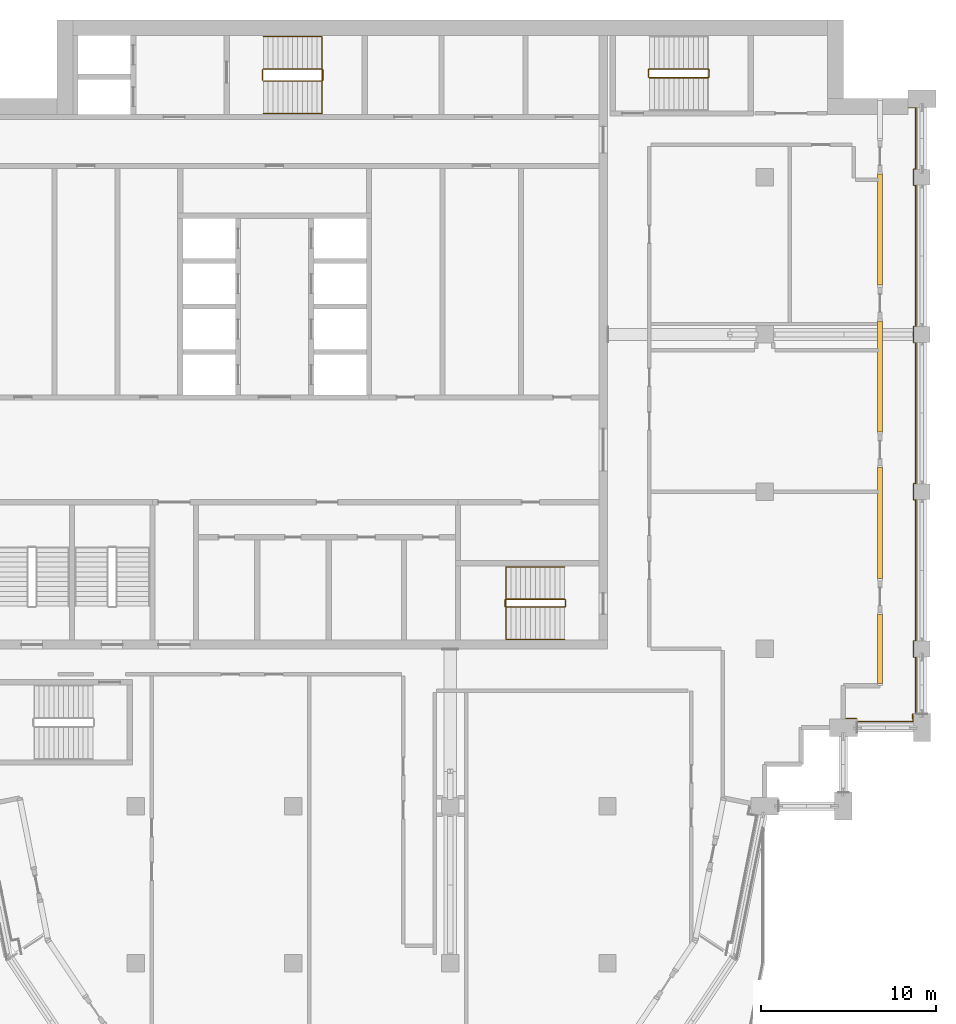
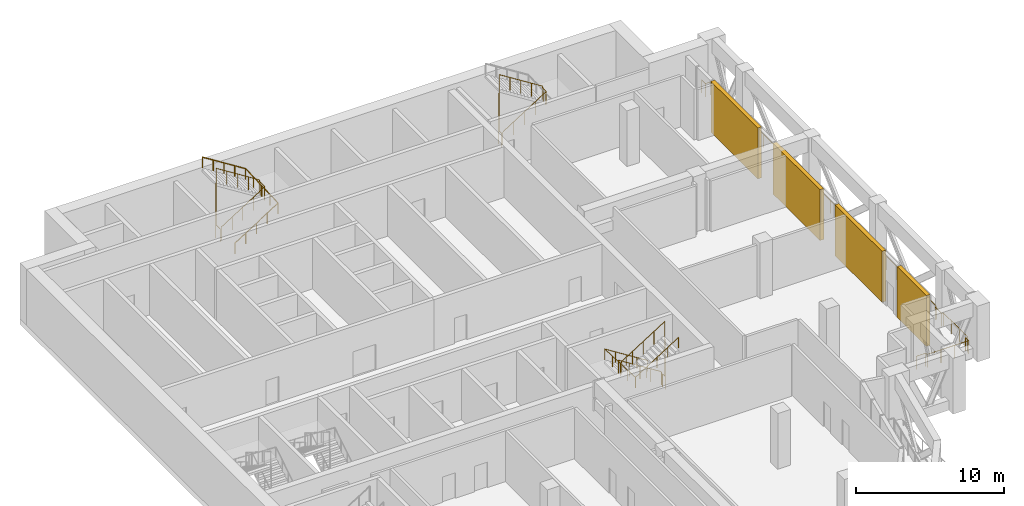
# One storey, part 17 of 18: 6 railings, 4 shading devices.
"""IFC4 building model written with IfcOpenShell, lengths in metres."""

from ifc_helpers import new_model, si_unit, direction, frame, origin, origin_2d, place, context, subcontext, project, spatial, rectangle, circle, extrude, material, layer, layer_set, type_object, element, save


model = new_model("IFC4")

# Units and contexts
model_context = context("Model", 3, precision=1e-05, world=origin(), true_north=direction((0.0, 1.0)))
body_context = subcontext(model_context, "Body", "Model", "MODEL_VIEW")
ifc_project = project(units=[si_unit("LENGTHUNIT", "METRE"), si_unit("AREAUNIT", "SQUARE_METRE"), si_unit("VOLUMEUNIT", "CUBIC_METRE"), si_unit("PLANEANGLEUNIT", "RADIAN"), si_unit("MASSUNIT", "GRAM", prefix="KILO")], contexts=[model_context])

# Site, building, storey
site_placement = place(None, origin())
site = spatial("IfcSite", under=ifc_project, at=site_placement, CompositionType="ELEMENT")
building_placement = place(site_placement, origin())
building = spatial("IfcBuilding", under=site, at=building_placement, Name="Hunhe Ridgeline Campus", CompositionType="ELEMENT")
storey_placement = place(building_placement, frame((0.0, 0.0, 276.199951171875)))
storey = spatial("IfcBuildingStorey", under=building, at=storey_placement, Name="L71", CompositionType="ELEMENT", Elevation=276.199951171875)

# Railing
ifc_material_1 = material(Name="Steel Q355", Category="steel")
railing_type_1 = type_object("IfcRailingType", Name="Loggia guard 1100 Steel Q355", PredefinedType="GUARDRAIL", material=ifc_material_1)
railing_1_placement = place(storey_placement, frame((49.5, 59.02001953125, 0.0)))
element("IfcRailing", 1, at=railing_1_placement, inside=storey, type_object=railing_type_1, Name="Loggia guard 3", PredefinedType="GUARDRAIL", context=body_context, shape_type="SweptSolid", body=[
    extrude(circle(Radius=0.02392578125, at=origin_2d()), frame((0.0, 0.0, 1.076171875), z_axis=(1.0, 0.0, 0.0), x_axis=(0.0, 1.0, 0.0)), (0.0, 0.0, 1.0), 0.75),
    extrude(circle(Radius=0.02392578125, at=origin_2d()), frame((0.75, 0.0, 1.076171875), z_axis=(0.0, -1.0, 0.0), x_axis=(1.0, 0.0, 0.0)), (0.0, 0.0, 1.0), 0.169921875),
    extrude(circle(Radius=0.02392578125, at=origin_2d()), frame((0.75, -0.169921875, 1.076171875), z_axis=(1.0, 0.0, 0.0), x_axis=(0.0, 1.0, 0.0)), (0.0, 0.0, 1.0), 3.25),
    extrude(circle(Radius=0.02392578125, at=origin_2d()), frame((4.0, -0.169921875, 1.076171875), z_axis=(0.0, 1.0, 0.0), x_axis=(-1.0, 0.0, 0.0)), (0.0, 0.0, 1.0), 0.419921875),
    extrude(circle(Radius=0.02392578125, at=origin_2d()), frame((4.0, 0.25, 1.076171875), z_axis=(-0.079822602517, -0.996809085095, 0.0), x_axis=(0.996809085095, -0.079822602517, 0.0)), (0.0, 0.0, 1.0), 0.250732421875),
    extrude(circle(Radius=0.02392578125, at=origin_2d()), frame((3.97998046875, 0.0, 1.076171875), z_axis=(0.0, 1.0, 0.0), x_axis=(-1.0, 0.0, 0.0)), (0.0, 0.0, 1.0), 0.22998046875),
    extrude(circle(Radius=0.02392578125, at=origin_2d()), frame((3.97998046875, 0.22998046875, 1.076171875), z_axis=(1.0, 0.0, 0.0), x_axis=(0.0, 1.0, 0.0)), (0.0, 0.0, 1.0), 0.169921875),
    extrude(circle(Radius=0.02392578125, at=origin_2d()), frame((4.14990234375, 0.22998046875, 1.076171875), z_axis=(0.0, 1.0, 0.0), x_axis=(-1.0, 0.0, 0.0)), (0.0, 0.0, 1.0), 3.300048828125),
    extrude(circle(Radius=0.02392578125, at=origin_2d()), frame((4.14990234375, 3.530029296875, 1.076171875), z_axis=(-1.0, 0.0, 0.0), x_axis=(0.0, -1.0, 0.0)), (0.0, 0.0, 1.0), 0.119873046875),
    extrude(circle(Radius=0.02392578125, at=origin_2d()), frame((4.030029296875, 3.530029296875, 1.076171875), z_axis=(0.0, 1.0, 0.0), x_axis=(-1.0, 0.0, 0.0)), (0.0, 0.0, 1.0), 0.89990234375),
    extrude(circle(Radius=0.02392578125, at=origin_2d()), frame((4.030029296875, 4.429931640625, 1.076171875), z_axis=(1.0, 0.0, 0.0), x_axis=(0.0, 1.0, 0.0)), (0.0, 0.0, 1.0), 0.119873046875),
    extrude(circle(Radius=0.02392578125, at=origin_2d()), frame((4.14990234375, 4.429931640625, 1.076171875), z_axis=(0.0, 1.0, 0.0), x_axis=(-1.0, 0.0, 0.0)), (0.0, 0.0, 1.0), 8.10009765625),
    extrude(circle(Radius=0.02392578125, at=origin_2d()), frame((4.14990234375, 12.530029296875, 1.076171875), z_axis=(-1.0, 0.0, 0.0), x_axis=(0.0, -1.0, 0.0)), (0.0, 0.0, 1.0), 0.119873046875),
    extrude(circle(Radius=0.02392578125, at=origin_2d()), frame((4.030029296875, 12.530029296875, 1.076171875), z_axis=(0.0, 1.0, 0.0), x_axis=(-1.0, 0.0, 0.0)), (0.0, 0.0, 1.0), 0.89990234375),
    extrude(circle(Radius=0.02392578125, at=origin_2d()), frame((4.030029296875, 13.429931640625, 1.076171875), z_axis=(1.0, 0.0, 0.0), x_axis=(0.0, 1.0, 0.0)), (0.0, 0.0, 1.0), 0.119873046875),
    extrude(circle(Radius=0.02392578125, at=origin_2d()), frame((4.14990234375, 13.429931640625, 1.076171875), z_axis=(0.0, 1.0, 0.0), x_axis=(-1.0, 0.0, 0.0)), (0.0, 0.0, 1.0), 8.10009765625),
    extrude(circle(Radius=0.02392578125, at=origin_2d()), frame((4.14990234375, 21.530029296875, 1.076171875), z_axis=(-1.0, 0.0, 0.0), x_axis=(0.0, -1.0, 0.0)), (0.0, 0.0, 1.0), 0.119873046875),
    extrude(circle(Radius=0.02392578125, at=origin_2d()), frame((4.030029296875, 21.530029296875, 1.076171875), z_axis=(0.0, 1.0, 0.0), x_axis=(-1.0, 0.0, 0.0)), (0.0, 0.0, 1.0), 0.89990234375),
    extrude(circle(Radius=0.02392578125, at=origin_2d()), frame((4.030029296875, 22.429931640625, 1.076171875), z_axis=(1.0, 0.0, 0.0), x_axis=(0.0, 1.0, 0.0)), (0.0, 0.0, 1.0), 0.119873046875),
    extrude(circle(Radius=0.02392578125, at=origin_2d()), frame((4.14990234375, 22.429931640625, 1.076171875), z_axis=(0.0, 1.0, 0.0), x_axis=(-1.0, 0.0, 0.0)), (0.0, 0.0, 1.0), 8.10009765625),
    extrude(circle(Radius=0.02392578125, at=origin_2d()), frame((4.14990234375, 30.530029296875, 1.076171875), z_axis=(-1.0, 0.0, 0.0), x_axis=(0.0, -1.0, 0.0)), (0.0, 0.0, 1.0), 0.119873046875),
    extrude(circle(Radius=0.02392578125, at=origin_2d()), frame((4.030029296875, 30.530029296875, 1.076171875), z_axis=(0.0, 1.0, 0.0), x_axis=(-1.0, 0.0, 0.0)), (0.0, 0.0, 1.0), 0.89990234375),
    extrude(circle(Radius=0.02392578125, at=origin_2d()), frame((4.030029296875, 31.429931640625, 1.076171875), z_axis=(1.0, 0.0, 0.0), x_axis=(0.0, 1.0, 0.0)), (0.0, 0.0, 1.0), 0.119873046875),
    extrude(circle(Radius=0.02392578125, at=origin_2d()), frame((4.14990234375, 31.429931640625, 1.076171875), z_axis=(0.0, 1.0, 0.0), x_axis=(-1.0, 0.0, 0.0)), (0.0, 0.0, 1.0), 3.550048828125),
    extrude(circle(Radius=0.02392578125, at=origin_2d()), frame((4.14990234375, 34.97998046875, 1.076171875), z_axis=(-1.0, 0.0, 0.0), x_axis=(0.0, -1.0, 0.0)), (0.0, 0.0, 1.0), 0.419921875),
    extrude(circle(Radius=0.02392578125, at=origin_2d()), frame((3.72998046875, 34.97998046875, 1.076171875), z_axis=(0.0, 1.0, 0.0), x_axis=(-1.0, 0.0, 0.0)), (0.0, 0.0, 1.0), 0.5),
    extrude(circle(Radius=0.02099609375, at=origin_2d()), origin(), (0.0, 0.0, 1.0), 1.052001953125),
    extrude(circle(Radius=0.02099609375, at=origin_2d()), frame((0.75, 0.0, 0.0)), (0.0, 0.0, 1.0), 1.052001953125),
    extrude(circle(Radius=0.02099609375, at=origin_2d()), frame((0.75, -0.169921875, 0.0)), (0.0, 0.0, 1.0), 1.052001953125),
    extrude(circle(Radius=0.02099609375, at=origin_2d()), frame((1.833251953125, -0.169921875, 0.0)), (0.0, 0.0, 1.0), 1.052001953125),
    extrude(circle(Radius=0.02099609375, at=origin_2d()), frame((2.916748046875, -0.169921875, 0.0)), (0.0, 0.0, 1.0), 1.052001953125),
    extrude(circle(Radius=0.02099609375, at=origin_2d()), frame((4.0, -0.169921875, 0.0)), (0.0, 0.0, 1.0), 1.052001953125),
    extrude(circle(Radius=0.02099609375, at=origin_2d()), frame((4.0, 0.25, 0.0)), (0.0, 0.0, 1.0), 1.052001953125),
    extrude(circle(Radius=0.02099609375, at=origin_2d()), frame((3.97998046875, 0.0, 0.0)), (0.0, 0.0, 1.0), 1.052001953125),
    extrude(circle(Radius=0.02099609375, at=origin_2d()), frame((3.97998046875, 0.22998046875, 0.0)), (0.0, 0.0, 1.0), 1.052001953125),
    extrude(circle(Radius=0.02099609375, at=origin_2d()), frame((4.14990234375, 0.22998046875, 0.0)), (0.0, 0.0, 1.0), 1.052001953125),
    extrude(circle(Radius=0.02099609375, at=origin_2d()), frame((4.14990234375, 1.330078125, 0.0)), (0.0, 0.0, 1.0), 1.052001953125),
    extrude(circle(Radius=0.02099609375, at=origin_2d()), frame((4.14990234375, 2.429931640625, 0.0)), (0.0, 0.0, 1.0), 1.052001953125),
    extrude(circle(Radius=0.02099609375, at=origin_2d()), frame((4.14990234375, 3.530029296875, 0.0)), (0.0, 0.0, 1.0), 1.052001953125),
    extrude(circle(Radius=0.02099609375, at=origin_2d()), frame((4.030029296875, 3.530029296875, 0.0)), (0.0, 0.0, 1.0), 1.052001953125),
    extrude(circle(Radius=0.02099609375, at=origin_2d()), frame((4.030029296875, 4.429931640625, 0.0)), (0.0, 0.0, 1.0), 1.052001953125),
    extrude(circle(Radius=0.02099609375, at=origin_2d()), frame((4.14990234375, 4.429931640625, 0.0)), (0.0, 0.0, 1.0), 1.052001953125),
    extrude(circle(Radius=0.02099609375, at=origin_2d()), frame((4.14990234375, 5.780029296875, 0.0)), (0.0, 0.0, 1.0), 1.052001953125),
    extrude(circle(Radius=0.02099609375, at=origin_2d()), frame((4.14990234375, 7.1298828125, 0.0)), (0.0, 0.0, 1.0), 1.052001953125),
    extrude(circle(Radius=0.02099609375, at=origin_2d()), frame((4.14990234375, 8.47998046875, 0.0)), (0.0, 0.0, 1.0), 1.052001953125),
    extrude(circle(Radius=0.02099609375, at=origin_2d()), frame((4.14990234375, 9.830078125, 0.0)), (0.0, 0.0, 1.0), 1.052001953125),
    extrude(circle(Radius=0.02099609375, at=origin_2d()), frame((4.14990234375, 11.179931640625, 0.0)), (0.0, 0.0, 1.0), 1.052001953125),
    extrude(circle(Radius=0.02099609375, at=origin_2d()), frame((4.14990234375, 12.530029296875, 0.0)), (0.0, 0.0, 1.0), 1.052001953125),
    extrude(circle(Radius=0.02099609375, at=origin_2d()), frame((4.030029296875, 12.530029296875, 0.0)), (0.0, 0.0, 1.0), 1.052001953125),
    extrude(circle(Radius=0.02099609375, at=origin_2d()), frame((4.030029296875, 13.429931640625, 0.0)), (0.0, 0.0, 1.0), 1.052001953125),
    extrude(circle(Radius=0.02099609375, at=origin_2d()), frame((4.14990234375, 13.429931640625, 0.0)), (0.0, 0.0, 1.0), 1.052001953125),
    extrude(circle(Radius=0.02099609375, at=origin_2d()), frame((4.14990234375, 14.780029296875, 0.0)), (0.0, 0.0, 1.0), 1.052001953125),
    extrude(circle(Radius=0.02099609375, at=origin_2d()), frame((4.14990234375, 16.1298828125, 0.0)), (0.0, 0.0, 1.0), 1.052001953125),
    extrude(circle(Radius=0.02099609375, at=origin_2d()), frame((4.14990234375, 17.47998046875, 0.0)), (0.0, 0.0, 1.0), 1.052001953125),
    extrude(circle(Radius=0.02099609375, at=origin_2d()), frame((4.14990234375, 18.830078125, 0.0)), (0.0, 0.0, 1.0), 1.052001953125),
    extrude(circle(Radius=0.02099609375, at=origin_2d()), frame((4.14990234375, 20.179931640625, 0.0)), (0.0, 0.0, 1.0), 1.052001953125),
    extrude(circle(Radius=0.02099609375, at=origin_2d()), frame((4.14990234375, 21.530029296875, 0.0)), (0.0, 0.0, 1.0), 1.052001953125),
    extrude(circle(Radius=0.02099609375, at=origin_2d()), frame((4.030029296875, 21.530029296875, 0.0)), (0.0, 0.0, 1.0), 1.052001953125),
    extrude(circle(Radius=0.02099609375, at=origin_2d()), frame((4.030029296875, 22.429931640625, 0.0)), (0.0, 0.0, 1.0), 1.052001953125),
    extrude(circle(Radius=0.02099609375, at=origin_2d()), frame((4.14990234375, 22.429931640625, 0.0)), (0.0, 0.0, 1.0), 1.052001953125),
    extrude(circle(Radius=0.02099609375, at=origin_2d()), frame((4.14990234375, 23.780029296875, 0.0)), (0.0, 0.0, 1.0), 1.052001953125),
    extrude(circle(Radius=0.02099609375, at=origin_2d()), frame((4.14990234375, 25.1298828125, 0.0)), (0.0, 0.0, 1.0), 1.052001953125),
    extrude(circle(Radius=0.02099609375, at=origin_2d()), frame((4.14990234375, 26.47998046875, 0.0)), (0.0, 0.0, 1.0), 1.052001953125),
    extrude(circle(Radius=0.02099609375, at=origin_2d()), frame((4.14990234375, 27.830078125, 0.0)), (0.0, 0.0, 1.0), 1.052001953125),
    extrude(circle(Radius=0.02099609375, at=origin_2d()), frame((4.14990234375, 29.179931640625, 0.0)), (0.0, 0.0, 1.0), 1.052001953125),
    extrude(circle(Radius=0.02099609375, at=origin_2d()), frame((4.14990234375, 30.530029296875, 0.0)), (0.0, 0.0, 1.0), 1.052001953125),
    extrude(circle(Radius=0.02099609375, at=origin_2d()), frame((4.030029296875, 30.530029296875, 0.0)), (0.0, 0.0, 1.0), 1.052001953125),
    extrude(circle(Radius=0.02099609375, at=origin_2d()), frame((4.030029296875, 31.429931640625, 0.0)), (0.0, 0.0, 1.0), 1.052001953125),
    extrude(circle(Radius=0.02099609375, at=origin_2d()), frame((4.14990234375, 31.429931640625, 0.0)), (0.0, 0.0, 1.0), 1.052001953125),
    extrude(circle(Radius=0.02099609375, at=origin_2d()), frame((4.14990234375, 32.61328125, 0.0)), (0.0, 0.0, 1.0), 1.052001953125),
    extrude(circle(Radius=0.02099609375, at=origin_2d()), frame((4.14990234375, 33.796630859375, 0.0)), (0.0, 0.0, 1.0), 1.052001953125),
    extrude(circle(Radius=0.02099609375, at=origin_2d()), frame((4.14990234375, 34.97998046875, 0.0)), (0.0, 0.0, 1.0), 1.052001953125),
    extrude(circle(Radius=0.02099609375, at=origin_2d()), frame((3.72998046875, 34.97998046875, 0.0)), (0.0, 0.0, 1.0), 1.052001953125),
    extrude(circle(Radius=0.02099609375, at=origin_2d()), frame((3.72998046875, 35.47998046875, 0.0)), (0.0, 0.0, 1.0), 1.052001953125),
])

# Shading devices
ifc_material_2 = material(Name="Aluminium 6063", Category="aluminium")
ifc_layer = layer(ifc_material_2, 0.300048828125)
ifc_layer_set = layer_set([ifc_layer], Name="Louvre bank 300 Aluminium 6063")
shading_device_type = type_object("IfcShadingDeviceType", Name="Louvre bank 300 Aluminium 6063", PredefinedType="USERDEFINED", material=ifc_layer_set)
shading_device_placement = place(storey_placement, frame((51.59912109375, 63.0009765625, 0.0), z_axis=(0.0, 0.0, 1.0), x_axis=(0.0, 1.0, 0.0)))
element("IfcShadingDevice", 2, at=shading_device_placement, inside=storey, type_object=shading_device_type, Name="Louvre bank 15", ObjectType="LOUVRE", PredefinedType="USERDEFINED", context=body_context, shape_type="SweptSolid", body=[
    extrude(rectangle(XDim=3.9599609375, YDim=0.300048828125, at=origin_2d()), origin(), (0.0, 0.0, 1.0), 4.199951171875),
])
for number, where, z_axis, x_axis, name in (
    (3, (51.59912109375, 70.20068359375, 0.0), (0.0, 0.0, 1.0), (0.0, 1.0, 0.0), "Louvre bank 16"),
    (4, (51.59912109375, 78.6005859375, 0.0), (0.0, 0.0, 1.0), (0.0, 1.0, 0.0), "Louvre bank 17"),
    (5, (51.59912109375, 87.000244140625, 0.0), (0.0, 0.0, 1.0), (0.0, 1.0, 0.0), "Louvre bank 18"),
):
    element("IfcShadingDevice", number, at=place(storey_placement, frame(where, z_axis=z_axis, x_axis=x_axis)), inside=storey, type_object=shading_device_type, Name=name, ObjectType="LOUVRE", PredefinedType="USERDEFINED", context=body_context, shape_type="SweptSolid", body=[
        extrude(rectangle(XDim=6.35986328125, YDim=0.300048828125, at=origin_2d()), origin(), (0.0, 0.0, 1.0), 4.199951171875),
    ])

# Railings
ifc_material_3 = material(Name="Stainless steel balustrade", Category="steel")
railing_type_2 = type_object("IfcRailingType", Name="Stair guard 1100 stainless", PredefinedType="GUARDRAIL", material=ifc_material_3)
railing_2_placement = place(storey_placement, frame((16.300048828125, 95.5, 0.177001953125)))
element("IfcRailing", 6, at=railing_2_placement, inside=storey, type_object=railing_type_2, Name="L71 stair S1 guard", PredefinedType="GUARDRAIL", context=body_context, shape_type="SweptSolid", body=[
    extrude(circle(Radius=0.02392578125, at=origin_2d()), frame((0.0, 0.0, 1.076171875), z_axis=(0.845372108799, 0.0, 0.534177870812), x_axis=(0.0, 1.0, 0.0)), (0.0, 0.0, 1.0), 3.974365234375),
    extrude(circle(Radius=0.02392578125, at=origin_2d()), frame((3.35986328125, 0.0, 3.19921875), z_axis=(0.707106781187, 0.707106781187, 0.0), x_axis=(-0.707106781187, 0.707106781187, 0.0)), (0.0, 0.0, 1.0), 0.07080078125),
    extrude(circle(Radius=0.02392578125, at=origin_2d()), frame((3.409912109375, 0.050048828125, 3.19921875), z_axis=(0.0, 1.0, 0.0), x_axis=(-1.0, 0.0, 0.0)), (0.0, 0.0, 1.0), 0.599853515625),
    extrude(circle(Radius=0.02392578125, at=origin_2d()), frame((3.409912109375, 0.64990234375, 3.19921875), z_axis=(-0.262545553595, 0.262545553595, 0.928514762713), x_axis=(-0.707106781187, -0.707106781187, 0.0)), (0.0, 0.0, 1.0), 0.190673828125),
    extrude(circle(Radius=0.02392578125, at=origin_2d()), frame((3.35986328125, 0.699951171875, 3.3759765625), z_axis=(-0.845372108799, 0.0, 0.534177870812), x_axis=(0.0, -1.0, 0.0)), (0.0, 0.0, 1.0), 3.974365234375),
    extrude(circle(Radius=0.02392578125, at=origin_2d()), frame((0.0, 0.699951171875, 5.4990234375), z_axis=(-0.010878661383, -0.010878661383, -0.999881647723), x_axis=(0.707106781187, -0.707106781187, 0.0)), (0.0, 0.0, 1.0), 4.6005859375),
    extrude(circle(Radius=0.02392578125, at=origin_2d()), frame((-0.050048828125, 0.64990234375, 0.89892578125), z_axis=(0.0, -1.0, 0.0), x_axis=(1.0, 0.0, 0.0)), (0.0, 0.0, 1.0), 0.599853515625),
    extrude(circle(Radius=0.02099609375, at=origin_2d()), origin(), (0.0, 0.0, 1.0), 1.052001953125),
    extrude(circle(Radius=0.02099609375, at=origin_2d()), frame((0.83984375, 0.0, 0.53076171875)), (0.0, 0.0, 1.0), 1.052001953125),
    extrude(circle(Radius=0.02099609375, at=origin_2d()), frame((1.679931640625, 0.0, 1.0615234375)), (0.0, 0.0, 1.0), 1.052001953125),
    extrude(circle(Radius=0.02099609375, at=origin_2d()), frame((2.52001953125, 0.0, 1.59228515625)), (0.0, 0.0, 1.0), 1.052001953125),
    extrude(circle(Radius=0.02099609375, at=origin_2d()), frame((3.35986328125, 0.0, 2.123046875)), (0.0, 0.0, 1.0), 1.052001953125),
    extrude(circle(Radius=0.02099609375, at=origin_2d()), frame((3.409912109375, 0.050048828125, 2.123046875)), (0.0, 0.0, 1.0), 1.052001953125),
    extrude(circle(Radius=0.02099609375, at=origin_2d()), frame((3.409912109375, 0.64990234375, 2.123046875)), (0.0, 0.0, 1.0), 1.052001953125),
    extrude(circle(Radius=0.02099609375, at=origin_2d()), frame((3.35986328125, 0.699951171875, 2.300048828125)), (0.0, 0.0, 1.0), 1.052001953125),
    extrude(circle(Radius=0.02099609375, at=origin_2d()), frame((2.52001953125, 0.699951171875, 2.830810546875)), (0.0, 0.0, 1.0), 1.052001953125),
    extrude(circle(Radius=0.02099609375, at=origin_2d()), frame((1.679931640625, 0.699951171875, 3.361572265625)), (0.0, 0.0, 1.0), 1.052001953125),
    extrude(circle(Radius=0.02099609375, at=origin_2d()), frame((0.83984375, 0.699951171875, 3.892333984375)), (0.0, 0.0, 1.0), 1.052001953125),
    extrude(circle(Radius=0.02099609375, at=origin_2d()), frame((0.0, 0.699951171875, 4.423095703125)), (0.0, 0.0, 1.0), 1.052001953125),
    extrude(circle(Radius=0.02099609375, at=origin_2d()), frame((-0.012451171875, 0.6875, 3.27294921875)), (0.0, 0.0, 1.0), 1.052001953125),
    extrude(circle(Radius=0.02099609375, at=origin_2d()), frame((-0.02490234375, 0.6748046875, 2.123046875)), (0.0, 0.0, 1.0), 1.052001953125),
    extrude(circle(Radius=0.02099609375, at=origin_2d()), frame((-0.03759765625, 0.662353515625, 0.97314453125)), (0.0, 0.0, 1.0), 1.052001953125),
    extrude(circle(Radius=0.02099609375, at=origin_2d()), frame((-0.050048828125, 0.64990234375, -0.177001953125)), (0.0, 0.0, 1.0), 1.052001953125),
    extrude(circle(Radius=0.02099609375, at=origin_2d()), frame((-0.050048828125, 0.050048828125, -0.177001953125)), (0.0, 0.0, 1.0), 1.052001953125),
])
railing_3_placement = place(storey_placement, frame((33.550048828125, 65.85009765625, 0.177001953125)))
element("IfcRailing", 7, at=railing_3_placement, inside=storey, type_object=railing_type_2, Name="L71 stair S2 guard", PredefinedType="GUARDRAIL", context=body_context, shape_type="SweptSolid", body=[
    extrude(circle(Radius=0.02392578125, at=origin_2d()), frame((0.0, 0.0, 1.076171875), z_axis=(-0.845389635667, 0.0, 0.534150132366), x_axis=(0.0, -1.0, 0.0)), (0.0, 0.0, 1.0), 3.974609375),
    extrude(circle(Radius=0.02392578125, at=origin_2d()), frame((-3.360107421875, 0.0, 3.19921875), z_axis=(-0.707106781187, -0.707106781187, 0.0), x_axis=(0.707106781187, -0.707106781187, 0.0)), (0.0, 0.0, 1.0), 0.07080078125),
    extrude(circle(Radius=0.02392578125, at=origin_2d()), frame((-3.41015625, -0.050048828125, 3.19921875), z_axis=(0.0, -1.0, 0.0), x_axis=(1.0, 0.0, 0.0)), (0.0, 0.0, 1.0), 0.35009765625),
    extrude(circle(Radius=0.02392578125, at=origin_2d()), frame((-3.41015625, -0.400146484375, 3.19921875), z_axis=(0.262545553595, -0.262545553595, 0.928514762713), x_axis=(0.707106781187, 0.707106781187, 0.0)), (0.0, 0.0, 1.0), 0.190673828125),
    extrude(circle(Radius=0.02392578125, at=origin_2d()), frame((-3.360107421875, -0.4501953125, 3.3759765625), z_axis=(0.845389635667, 0.0, 0.534150132366), x_axis=(0.0, 1.0, 0.0)), (0.0, 0.0, 1.0), 3.974609375),
    extrude(circle(Radius=0.02392578125, at=origin_2d()), frame((0.0, -0.4501953125, 5.4990234375), z_axis=(0.010878661383, 0.010878661383, -0.999881647723), x_axis=(-0.707106781187, 0.707106781187, 0.0)), (0.0, 0.0, 1.0), 4.6005859375),
    extrude(circle(Radius=0.02392578125, at=origin_2d()), frame((0.050048828125, -0.400146484375, 0.89892578125), z_axis=(0.0, 1.0, 0.0), x_axis=(-1.0, 0.0, 0.0)), (0.0, 0.0, 1.0), 0.35009765625),
    extrude(circle(Radius=0.02099609375, at=origin_2d()), origin(), (0.0, 0.0, 1.0), 1.052001953125),
    extrude(circle(Radius=0.02099609375, at=origin_2d()), frame((-0.840087890625, 0.0, 0.53076171875)), (0.0, 0.0, 1.0), 1.052001953125),
    extrude(circle(Radius=0.02099609375, at=origin_2d()), frame((-1.68017578125, 0.0, 1.0615234375)), (0.0, 0.0, 1.0), 1.052001953125),
    extrude(circle(Radius=0.02099609375, at=origin_2d()), frame((-2.52001953125, 0.0, 1.59228515625)), (0.0, 0.0, 1.0), 1.052001953125),
    extrude(circle(Radius=0.02099609375, at=origin_2d()), frame((-3.360107421875, 0.0, 2.123046875)), (0.0, 0.0, 1.0), 1.052001953125),
    extrude(circle(Radius=0.02099609375, at=origin_2d()), frame((-3.41015625, -0.050048828125, 2.123046875)), (0.0, 0.0, 1.0), 1.052001953125),
    extrude(circle(Radius=0.02099609375, at=origin_2d()), frame((-3.41015625, -0.400146484375, 2.123046875)), (0.0, 0.0, 1.0), 1.052001953125),
    extrude(circle(Radius=0.02099609375, at=origin_2d()), frame((-3.360107421875, -0.4501953125, 2.300048828125)), (0.0, 0.0, 1.0), 1.052001953125),
    extrude(circle(Radius=0.02099609375, at=origin_2d()), frame((-2.52001953125, -0.4501953125, 2.830810546875)), (0.0, 0.0, 1.0), 1.052001953125),
    extrude(circle(Radius=0.02099609375, at=origin_2d()), frame((-1.68017578125, -0.4501953125, 3.361572265625)), (0.0, 0.0, 1.0), 1.052001953125),
    extrude(circle(Radius=0.02099609375, at=origin_2d()), frame((-0.840087890625, -0.4501953125, 3.892333984375)), (0.0, 0.0, 1.0), 1.052001953125),
    extrude(circle(Radius=0.02099609375, at=origin_2d()), frame((0.0, -0.4501953125, 4.423095703125)), (0.0, 0.0, 1.0), 1.052001953125),
    extrude(circle(Radius=0.02099609375, at=origin_2d()), frame((0.012451171875, -0.437744140625, 3.27294921875)), (0.0, 0.0, 1.0), 1.052001953125),
    extrude(circle(Radius=0.02099609375, at=origin_2d()), frame((0.02490234375, -0.42529296875, 2.123046875)), (0.0, 0.0, 1.0), 1.052001953125),
    extrude(circle(Radius=0.02099609375, at=origin_2d()), frame((0.03759765625, -0.41259765625, 0.97314453125)), (0.0, 0.0, 1.0), 1.052001953125),
    extrude(circle(Radius=0.02099609375, at=origin_2d()), frame((0.050048828125, -0.400146484375, -0.177001953125)), (0.0, 0.0, 1.0), 1.052001953125),
    extrude(circle(Radius=0.02099609375, at=origin_2d()), frame((0.050048828125, -0.050048828125, -0.177001953125)), (0.0, 0.0, 1.0), 1.052001953125),
])
railing_4_placement = place(storey_placement, frame((38.39990234375, 95.699951171875, 0.177001953125)))
element("IfcRailing", 8, at=railing_4_placement, inside=storey, type_object=railing_type_2, Name="L71 stair E1 guard", PredefinedType="GUARDRAIL", context=body_context, shape_type="SweptSolid", body=[
    extrude(circle(Radius=0.02392578125, at=origin_2d()), frame((0.0, 0.0, 1.076171875), z_axis=(0.845389635667, 0.0, 0.534150132366), x_axis=(0.0, 1.0, 0.0)), (0.0, 0.0, 1.0), 3.974609375),
    extrude(circle(Radius=0.02392578125, at=origin_2d()), frame((3.360107421875, 0.0, 3.19921875), z_axis=(0.707106781187, 0.707106781187, 0.0), x_axis=(-0.707106781187, 0.707106781187, 0.0)), (0.0, 0.0, 1.0), 0.07080078125),
    extrude(circle(Radius=0.02392578125, at=origin_2d()), frame((3.41015625, 0.050048828125, 3.19921875), z_axis=(0.0, 1.0, 0.0), x_axis=(-1.0, 0.0, 0.0)), (0.0, 0.0, 1.0), 0.39990234375),
    extrude(circle(Radius=0.02392578125, at=origin_2d()), frame((3.41015625, 0.449951171875, 3.19921875), z_axis=(-0.262545553595, 0.262545553595, 0.928514762713), x_axis=(-0.707106781187, -0.707106781187, 0.0)), (0.0, 0.0, 1.0), 0.190673828125),
    extrude(circle(Radius=0.02392578125, at=origin_2d()), frame((3.360107421875, 0.5, 3.3759765625), z_axis=(-0.845389635667, 0.0, 0.534150132366), x_axis=(0.0, -1.0, 0.0)), (0.0, 0.0, 1.0), 3.974609375),
    extrude(circle(Radius=0.02392578125, at=origin_2d()), frame((0.0, 0.5, 5.4990234375), z_axis=(-0.010825600977, -0.010878667648, -0.999882223541), x_axis=(0.708833529934, -0.705375805398, 0.0)), (0.0, 0.0, 1.0), 4.6005859375),
    extrude(circle(Radius=0.02392578125, at=origin_2d()), frame((-0.0498046875, 0.449951171875, 0.89892578125), z_axis=(0.0, -1.0, 0.0), x_axis=(1.0, 0.0, 0.0)), (0.0, 0.0, 1.0), 0.39990234375),
    extrude(circle(Radius=0.02099609375, at=origin_2d()), origin(), (0.0, 0.0, 1.0), 1.052001953125),
    extrude(circle(Radius=0.02099609375, at=origin_2d()), frame((0.840087890625, 0.0, 0.53076171875)), (0.0, 0.0, 1.0), 1.052001953125),
    extrude(circle(Radius=0.02099609375, at=origin_2d()), frame((1.68017578125, 0.0, 1.0615234375)), (0.0, 0.0, 1.0), 1.052001953125),
    extrude(circle(Radius=0.02099609375, at=origin_2d()), frame((2.52001953125, 0.0, 1.59228515625)), (0.0, 0.0, 1.0), 1.052001953125),
    extrude(circle(Radius=0.02099609375, at=origin_2d()), frame((3.360107421875, 0.0, 2.123046875)), (0.0, 0.0, 1.0), 1.052001953125),
    extrude(circle(Radius=0.02099609375, at=origin_2d()), frame((3.41015625, 0.050048828125, 2.123046875)), (0.0, 0.0, 1.0), 1.052001953125),
    extrude(circle(Radius=0.02099609375, at=origin_2d()), frame((3.41015625, 0.449951171875, 2.123046875)), (0.0, 0.0, 1.0), 1.052001953125),
    extrude(circle(Radius=0.02099609375, at=origin_2d()), frame((3.360107421875, 0.5, 2.300048828125)), (0.0, 0.0, 1.0), 1.052001953125),
    extrude(circle(Radius=0.02099609375, at=origin_2d()), frame((2.52001953125, 0.5, 2.830810546875)), (0.0, 0.0, 1.0), 1.052001953125),
    extrude(circle(Radius=0.02099609375, at=origin_2d()), frame((1.68017578125, 0.5, 3.361572265625)), (0.0, 0.0, 1.0), 1.052001953125),
    extrude(circle(Radius=0.02099609375, at=origin_2d()), frame((0.840087890625, 0.5, 3.892333984375)), (0.0, 0.0, 1.0), 1.052001953125),
    extrude(circle(Radius=0.02099609375, at=origin_2d()), frame((0.0, 0.5, 4.423095703125)), (0.0, 0.0, 1.0), 1.052001953125),
    extrude(circle(Radius=0.02099609375, at=origin_2d()), frame((-0.012451171875, 0.487548828125, 3.27294921875)), (0.0, 0.0, 1.0), 1.052001953125),
    extrude(circle(Radius=0.02099609375, at=origin_2d()), frame((-0.02490234375, 0.47509765625, 2.123046875)), (0.0, 0.0, 1.0), 1.052001953125),
    extrude(circle(Radius=0.02099609375, at=origin_2d()), frame((-0.037353515625, 0.46240234375, 0.97314453125)), (0.0, 0.0, 1.0), 1.052001953125),
    extrude(circle(Radius=0.02099609375, at=origin_2d()), frame((-0.0498046875, 0.449951171875, -0.177001953125)), (0.0, 0.0, 1.0), 1.052001953125),
    extrude(circle(Radius=0.02099609375, at=origin_2d()), frame((-0.0498046875, 0.050048828125, -0.177001953125)), (0.0, 0.0, 1.0), 1.052001953125),
])
ifc_material_4 = material(Name="Stainless steel handrail", Category="steel")
railing_type_3 = type_object("IfcRailingType", Name="Stair handrail 900 stainless", PredefinedType="HANDRAIL", material=ifc_material_4)
railing_5_placement = place(storey_placement, frame((16.300048828125, 93.64990234375, 0.177001953125)))
element("IfcRailing", 9, at=railing_5_placement, inside=storey, type_object=railing_type_3, Name="L71 stair S1 handrail", PredefinedType="HANDRAIL", context=body_context, shape_type="SweptSolid", body=[
    extrude(circle(Radius=0.02392578125, at=origin_2d()), frame((0.0, 0.0, 0.8759765625), z_axis=(0.845372108799, 0.0, 0.534177870812), x_axis=(0.0, 1.0, 0.0)), (0.0, 0.0, 1.0), 3.974365234375),
    extrude(circle(Radius=0.02392578125, at=origin_2d()), frame((3.35986328125, 0.0, 2.9990234375), z_axis=(0.0, 0.999191899876, 0.040193870466), x_axis=(-1.0, 0.0, 0.0)), (0.0, 0.0, 1.0), 4.40380859375),
    extrude(circle(Radius=0.02392578125, at=origin_2d()), frame((3.35986328125, 4.400146484375, 3.17578125), z_axis=(-0.845372108799, 0.0, 0.534177870812), x_axis=(0.0, -1.0, 0.0)), (0.0, 0.0, 1.0), 3.974365234375),
    extrude(circle(Radius=0.02099609375, at=origin_2d()), origin(), (0.0, 0.0, 1.0), 0.851806640625),
    extrude(circle(Radius=0.02099609375, at=origin_2d()), frame((0.83984375, 0.0, 0.53076171875)), (0.0, 0.0, 1.0), 0.851806640625),
    extrude(circle(Radius=0.02099609375, at=origin_2d()), frame((1.679931640625, 0.0, 1.0615234375)), (0.0, 0.0, 1.0), 0.851806640625),
    extrude(circle(Radius=0.02099609375, at=origin_2d()), frame((2.52001953125, 0.0, 1.59228515625)), (0.0, 0.0, 1.0), 0.851806640625),
    extrude(circle(Radius=0.02099609375, at=origin_2d()), frame((3.35986328125, 0.0, 2.123046875)), (0.0, 0.0, 1.0), 0.851806640625),
    extrude(circle(Radius=0.02099609375, at=origin_2d()), frame((3.35986328125, 1.10009765625, 2.167236328125)), (0.0, 0.0, 1.0), 0.851806640625),
    extrude(circle(Radius=0.02099609375, at=origin_2d()), frame((3.35986328125, 2.2001953125, 2.21142578125)), (0.0, 0.0, 1.0), 0.851806640625),
    extrude(circle(Radius=0.02099609375, at=origin_2d()), frame((3.35986328125, 3.300048828125, 2.255859375)), (0.0, 0.0, 1.0), 0.851806640625),
    extrude(circle(Radius=0.02099609375, at=origin_2d()), frame((3.35986328125, 4.400146484375, 2.300048828125)), (0.0, 0.0, 1.0), 0.851806640625),
    extrude(circle(Radius=0.02099609375, at=origin_2d()), frame((2.52001953125, 4.400146484375, 2.830810546875)), (0.0, 0.0, 1.0), 0.851806640625),
    extrude(circle(Radius=0.02099609375, at=origin_2d()), frame((1.679931640625, 4.400146484375, 3.361572265625)), (0.0, 0.0, 1.0), 0.851806640625),
    extrude(circle(Radius=0.02099609375, at=origin_2d()), frame((0.83984375, 4.400146484375, 3.892333984375)), (0.0, 0.0, 1.0), 0.851806640625),
    extrude(circle(Radius=0.02099609375, at=origin_2d()), frame((0.0, 4.400146484375, 4.423095703125)), (0.0, 0.0, 1.0), 0.851806640625),
])
railing_6_placement = place(storey_placement, frame((33.550048828125, 67.699951171875, 0.177001953125)))
element("IfcRailing", 10, at=railing_6_placement, inside=storey, type_object=railing_type_3, Name="L71 stair S2 handrail", PredefinedType="HANDRAIL", context=body_context, shape_type="SweptSolid", body=[
    extrude(circle(Radius=0.02392578125, at=origin_2d()), frame((0.0, 0.0, 0.8759765625), z_axis=(-0.845389635667, 0.0, 0.534150132366), x_axis=(0.0, -1.0, 0.0)), (0.0, 0.0, 1.0), 3.974609375),
    extrude(circle(Radius=0.02392578125, at=origin_2d()), frame((-3.360107421875, 0.0, 2.9990234375), z_axis=(0.0, -0.999091639355, 0.042613333247), x_axis=(1.0, 0.0, 0.0)), (0.0, 0.0, 1.0), 4.153564453125),
    extrude(circle(Radius=0.02392578125, at=origin_2d()), frame((-3.360107421875, -4.14990234375, 3.17578125), z_axis=(0.845389635667, 0.0, 0.534150132366), x_axis=(0.0, 1.0, 0.0)), (0.0, 0.0, 1.0), 3.974609375),
    extrude(circle(Radius=0.02099609375, at=origin_2d()), origin(), (0.0, 0.0, 1.0), 0.851806640625),
    extrude(circle(Radius=0.02099609375, at=origin_2d()), frame((-0.840087890625, 0.0, 0.53076171875)), (0.0, 0.0, 1.0), 0.851806640625),
    extrude(circle(Radius=0.02099609375, at=origin_2d()), frame((-1.68017578125, 0.0, 1.0615234375)), (0.0, 0.0, 1.0), 0.851806640625),
    extrude(circle(Radius=0.02099609375, at=origin_2d()), frame((-2.52001953125, 0.0, 1.59228515625)), (0.0, 0.0, 1.0), 0.851806640625),
    extrude(circle(Radius=0.02099609375, at=origin_2d()), frame((-3.360107421875, 0.0, 2.123046875)), (0.0, 0.0, 1.0), 0.851806640625),
    extrude(circle(Radius=0.02099609375, at=origin_2d()), frame((-3.360107421875, -1.03759765625, 2.167236328125)), (0.0, 0.0, 1.0), 0.851806640625),
    extrude(circle(Radius=0.02099609375, at=origin_2d()), frame((-3.360107421875, -2.074951171875, 2.21142578125)), (0.0, 0.0, 1.0), 0.851806640625),
    extrude(circle(Radius=0.02099609375, at=origin_2d()), frame((-3.360107421875, -3.1123046875, 2.255859375)), (0.0, 0.0, 1.0), 0.851806640625),
    extrude(circle(Radius=0.02099609375, at=origin_2d()), frame((-3.360107421875, -4.14990234375, 2.300048828125)), (0.0, 0.0, 1.0), 0.851806640625),
    extrude(circle(Radius=0.02099609375, at=origin_2d()), frame((-2.52001953125, -4.14990234375, 2.830810546875)), (0.0, 0.0, 1.0), 0.851806640625),
    extrude(circle(Radius=0.02099609375, at=origin_2d()), frame((-1.68017578125, -4.14990234375, 3.361572265625)), (0.0, 0.0, 1.0), 0.851806640625),
    extrude(circle(Radius=0.02099609375, at=origin_2d()), frame((-0.840087890625, -4.14990234375, 3.892333984375)), (0.0, 0.0, 1.0), 0.851806640625),
    extrude(circle(Radius=0.02099609375, at=origin_2d()), frame((0.0, -4.14990234375, 4.423095703125)), (0.0, 0.0, 1.0), 0.851806640625),
])

save(model, "model.ifc")
